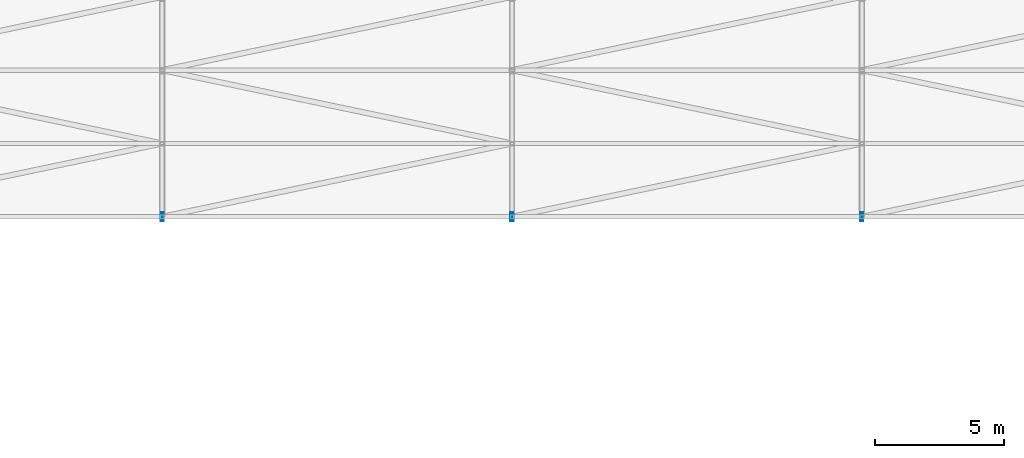
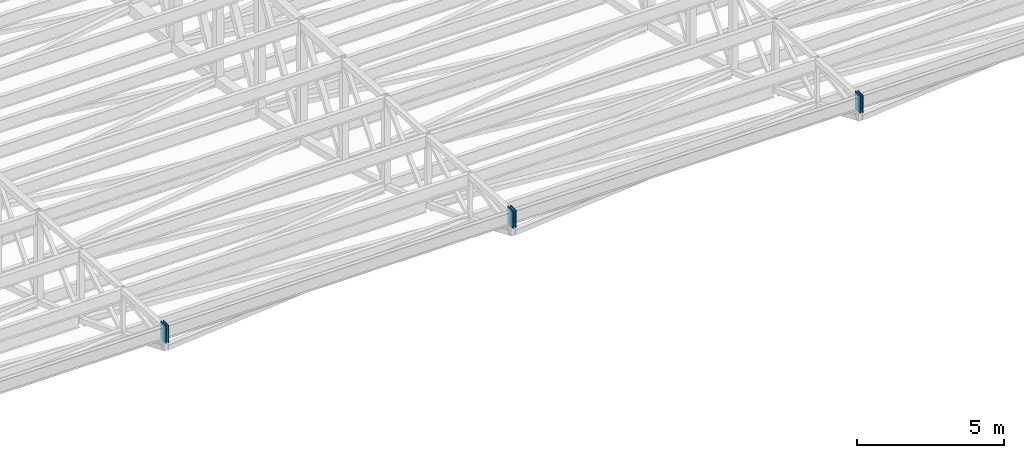
# One storey, part 222 of 278: 6 discrete accessories.
"""IFC4 building model written with IfcOpenShell, lengths in metres."""

from ifc_helpers import new_model, si_unit, direction, frame, origin, origin_2d, place, context, subcontext, project, spatial, rectangle, extrude, material, layer, layer_set, type_object, element, save


model = new_model("IFC4")

# Units and contexts
model_context = context("Model", 3, precision=1e-05, world=origin(), true_north=direction((0.0, 1.0)))
body_context = subcontext(model_context, "Body", "Model", "MODEL_VIEW")
ifc_project = project(units=[si_unit("LENGTHUNIT", "METRE"), si_unit("AREAUNIT", "SQUARE_METRE"), si_unit("VOLUMEUNIT", "CUBIC_METRE"), si_unit("PLANEANGLEUNIT", "RADIAN"), si_unit("MASSUNIT", "GRAM", prefix="KILO")], contexts=[model_context])

# Site, building, storey
site_placement = place(None, origin())
site = spatial("IfcSite", under=ifc_project, at=site_placement, CompositionType="ELEMENT")
building_placement = place(site_placement, origin())
building = spatial("IfcBuilding", under=site, at=building_placement, Name="Ogive Plaza Stadium", CompositionType="ELEMENT")
storey_placement = place(building_placement, frame((0.0, 0.0, 29.0)))
storey = spatial("IfcBuildingStorey", under=building, at=storey_placement, Name="Roof", CompositionType="ELEMENT", Elevation=29.0)

# Discrete accessories
ifc_material = material(Name="Steel ASTM A992 Grade 50", Category="steel")
ifc_layer = layer(ifc_material, 0.030029296875)
ifc_layer_set = layer_set([ifc_layer], Name="Steel ASTM A992 Grade 50")
discrete_accessory_type = type_object("IfcDiscreteAccessoryType", Name="Ring beam end plate 30", PredefinedType="ANCHORPLATE", material=ifc_layer_set)
for number, where, z_axis, x_axis, name in (
    (1, (-20.4462890625, 64.0, 6.80029296875), (0.0, 0.0, 1.0), (1.0, 0.0, 0.0), "RING BEAM END PLATE B32 2"),
    (2, (-20.353759765625, 64.0, 6.80029296875), (0.0, 0.0, 1.0), (1.0, 0.0, 0.0), "RING BEAM END PLATE B33 1"),
    (3, (-6.84619140625, 64.0, 6.80029296875), (0.0, 0.0, 1.0), (1.0, 0.0, 0.0), "RING BEAM END PLATE B33 2"),
    (4, (-6.75390625, 64.0, 6.80029296875), (0.0, 0.0, 1.0), (1.0, 0.0, 0.0), "RING BEAM END PLATE B34 1"),
    (5, (6.75390625, 64.0, 6.80029296875), (0.0, 0.0, 1.0), (1.0, 0.0, 0.0), "RING BEAM END PLATE B34 2"),
    (6, (6.84619140625, 64.0, 6.80029296875), (0.0, 0.0, 1.0), (1.0, 0.0, 0.0), "RING BEAM END PLATE B35 1"),
):
    element("IfcDiscreteAccessory", number, at=place(storey_placement, frame(where, z_axis=z_axis, x_axis=x_axis)), inside=storey, type_object=discrete_accessory_type, Name=name, PredefinedType="ANCHORPLATE", context=body_context, shape_type="SweptSolid", body=[
        extrude(rectangle(XDim=0.030029296875, YDim=0.364990234375, at=origin_2d()), origin(), (0.0, 0.0, 1.0), 0.724853515625),
    ])

save(model, "model.ifc")
